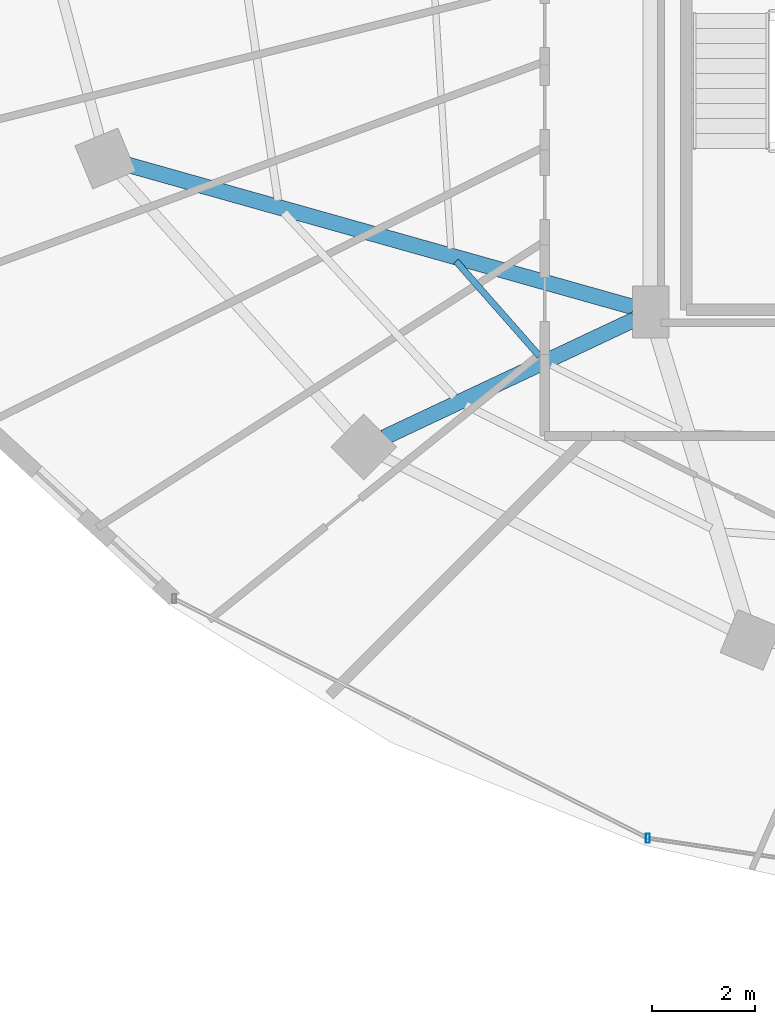
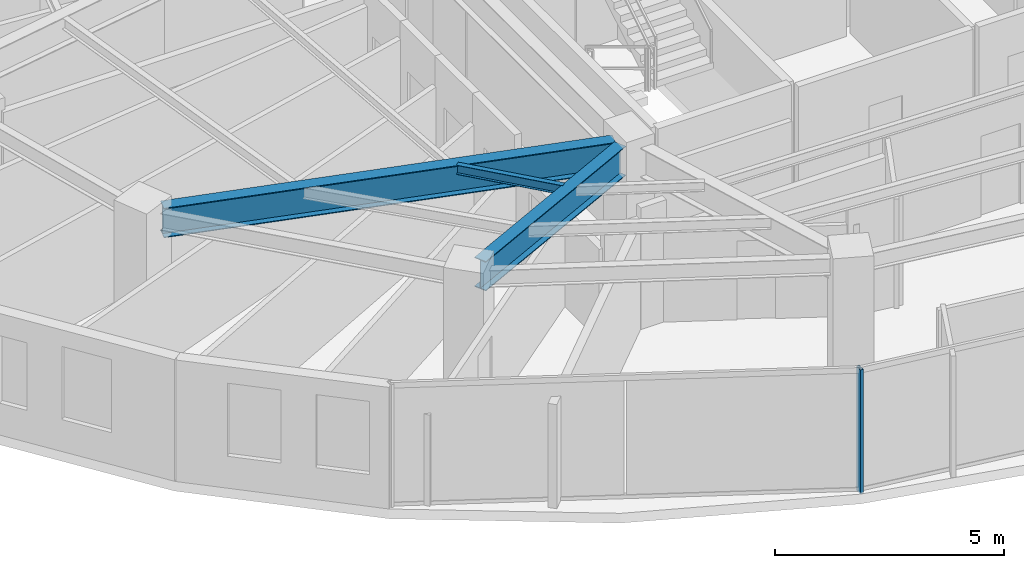
# One storey, part 3 of 31: 3 beams, 1 member, 1 element without a shape of its own.
"""IFC4 building model written with IfcOpenShell, lengths in metres."""

from ifc_helpers import new_model, si_unit, direction, frame, origin, origin_2d, place, context, subcontext, project, spatial, hollow_rectangle, i_section, extrude, material, material_profile, profile_set, type_object, element, aggregate, save


model = new_model("IFC4")

# Units and contexts
model_context = context("Model", 3, precision=1e-05, world=origin(), true_north=direction((0.0, 1.0)))
body_context = subcontext(model_context, "Body", "Model", "MODEL_VIEW")
ifc_project = project(units=[si_unit("LENGTHUNIT", "METRE"), si_unit("AREAUNIT", "SQUARE_METRE"), si_unit("VOLUMEUNIT", "CUBIC_METRE"), si_unit("PLANEANGLEUNIT", "RADIAN"), si_unit("MASSUNIT", "GRAM", prefix="KILO")], contexts=[model_context])

# Site, building, storey
site_placement = place(None, origin())
site = spatial("IfcSite", under=ifc_project, at=site_placement, CompositionType="ELEMENT")
building_placement = place(site_placement, origin())
building = spatial("IfcBuilding", under=site, at=building_placement, Name="Vorneva Point Tower", CompositionType="ELEMENT")
storey_placement = place(building_placement, frame((0.0, 0.0, 193.10009765625)))
storey = spatial("IfcBuildingStorey", under=building, at=storey_placement, Name="L52", CompositionType="ELEMENT", Elevation=193.10009765625)

# Beams
ifc_material_1 = material(Name="Steel S355", Category="steel")
ifc_material_profile_1 = material_profile(ifc_material_1, i_section(OverallWidth=0.300048828125, OverallDepth=0.7880859375, WebThickness=0.014404296875, FlangeThickness=0.02197265625, at=origin_2d()), Name="80Sh1")
ifc_profile_set_1 = profile_set([ifc_material_profile_1], Name="Steel S355")
beam_type_1 = type_object("IfcBeamType", Name="BM-GRD-80Sh1", PredefinedType="USERDEFINED", material=ifc_profile_set_1)
beam_1_placement = place(storey_placement, frame((17.126220703125, 19.299072265625, 2.845947265625), z_axis=(0.962603641144, -0.270913694847, 0.0), x_axis=(0.270913694847, 0.962603641144, 0.0)))
element("IfcBeam", 1, at=beam_1_placement, inside=storey, type_object=beam_type_1, Name="L52 Radial Primary Girder 10", ObjectType="GIRDER", PredefinedType="USERDEFINED", context=body_context, shape_type="SweptSolid", body=[
    extrude(i_section(OverallWidth=0.300048828125, OverallDepth=0.7880859375, WebThickness=0.014404296875, FlangeThickness=0.02197265625, at=origin_2d()), origin(), (0.0, 0.0, 1.0), 10.177001953125),
])
beam_2_placement = place(storey_placement, frame((22.097412109375, 14.0244140625, 2.845947265625), z_axis=(0.904762899762, 0.42591559635, 0.0), x_axis=(-0.42591559635, 0.904762899762, 0.0)))
element("IfcBeam", 2, at=beam_2_placement, inside=storey, type_object=beam_type_1, Name="L52 Radial Primary Girder 11", ObjectType="GIRDER", PredefinedType="USERDEFINED", context=body_context, shape_type="SweptSolid", body=[
    extrude(i_section(OverallWidth=0.300048828125, OverallDepth=0.7880859375, WebThickness=0.014404296875, FlangeThickness=0.02197265625, at=origin_2d()), origin(), (0.0, 0.0, 1.0), 5.35498046875),
])
ifc_material_profile_2 = material_profile(ifc_material_1, i_section(OverallWidth=0.1240234375, OverallDepth=0.248046875, WebThickness=0.0048828125, FlangeThickness=0.008056640625, at=origin_2d()), Name="25B1")
ifc_profile_set_2 = profile_set([ifc_material_profile_2], Name="Steel S355")
beam_type_2 = type_object("IfcBeamType", Name="BM-JST-25B1", PredefinedType="JOIST", material=ifc_profile_set_2)
beam_3_placement = place(storey_placement, frame((23.487060546875, 17.430908203125, 3.115966796875), z_axis=(0.660228577695, -0.7510647277, 0.0), x_axis=(0.7510647277, 0.660228577695, 0.0)))
element("IfcBeam", 3, at=beam_3_placement, inside=storey, type_object=beam_type_2, Name="L52 Secondary Floor Beam 2.10", PredefinedType="JOIST", context=body_context, shape_type="SweptSolid", body=[
    extrude(i_section(OverallWidth=0.1240234375, OverallDepth=0.248046875, WebThickness=0.0048828125, FlangeThickness=0.008056640625, at=origin_2d()), origin(), (0.0, 0.0, 1.0), 2.453857421875),
])

# Curtain wall, member
ifc_material_2 = material(Name="Pale anodised aluminium", Category="aluminium")
curtain_wall_type = type_object("IfcCurtainWallType", Name="CW-RES-SYS", PredefinedType="NOTDEFINED", material=ifc_material_2)
curtain_wall_placement = place(storey_placement, origin())
curtain_wall = element("IfcCurtainWall", 4, at=curtain_wall_placement, inside=storey, type_object=curtain_wall_type, Name="L52 Unitised Curtain Wall CW-L52-R04", PredefinedType="NOTDEFINED")
ifc_material_profile_3 = material_profile(ifc_material_2, hollow_rectangle(XDim=0.074951171875, YDim=0.179931640625, WallThickness=0.00390625, at=origin_2d()), Name="AL-MUL 180x75x4")
ifc_profile_set_3 = profile_set([ifc_material_profile_3], Name="Pale anodised aluminium")
member_type = type_object("IfcMemberType", Name="CW-MUL-180", PredefinedType="MULLION", material=ifc_profile_set_3)
member_placement = place(storey_placement, frame((27.19677734375, 6.275146484375, -0.0400390625), z_axis=(0.0, 0.0, 1.0), x_axis=(1.0, 0.0, 0.0)))
member = element("IfcMember", 5, at=member_placement, type_object=member_type, Name="CW-L52-R04 Mullion 02", PredefinedType="MULLION", context=body_context, shape_type="SweptSolid", body=[
    extrude(hollow_rectangle(XDim=0.074951171875, YDim=0.179931640625, WallThickness=0.00390625, at=origin_2d()), origin(), (0.0, 0.0, 1.0), 3.31005859375),
])
aggregate(curtain_wall, [member])

save(model, "model.ifc")
